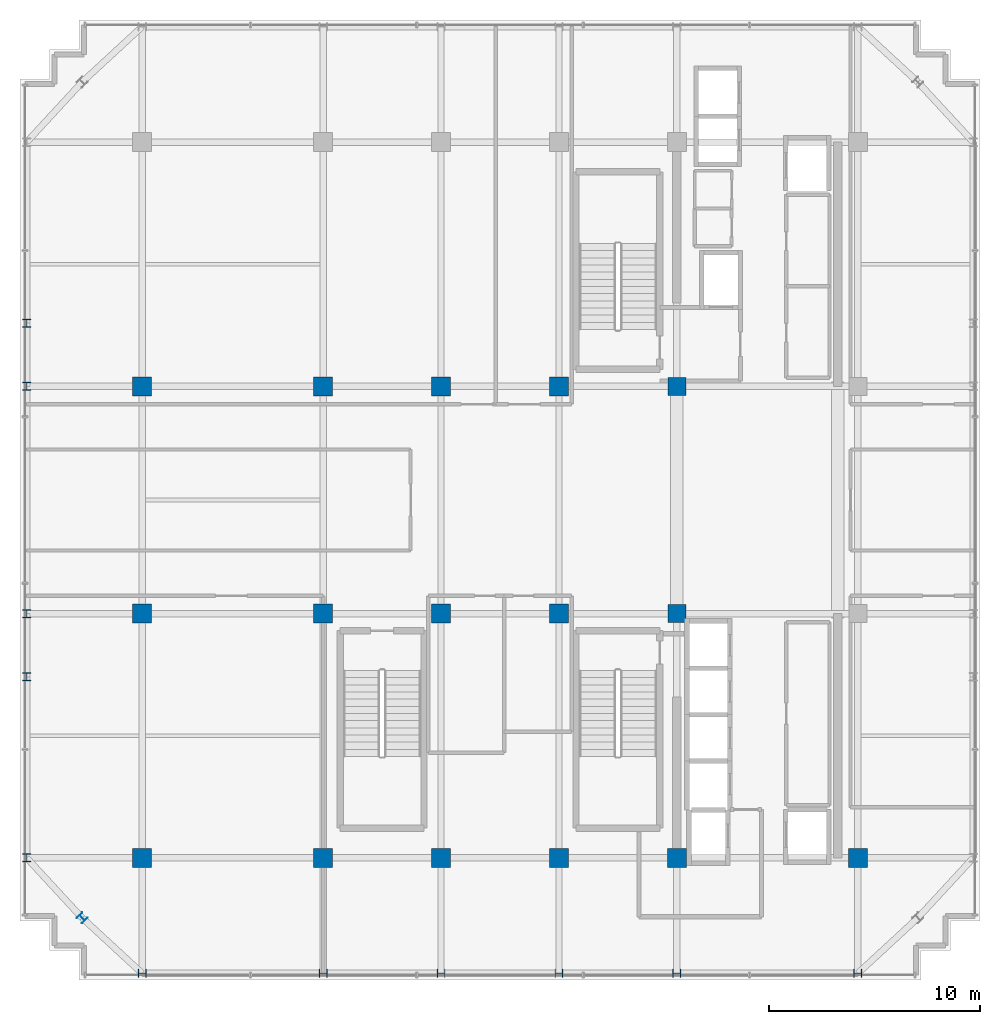
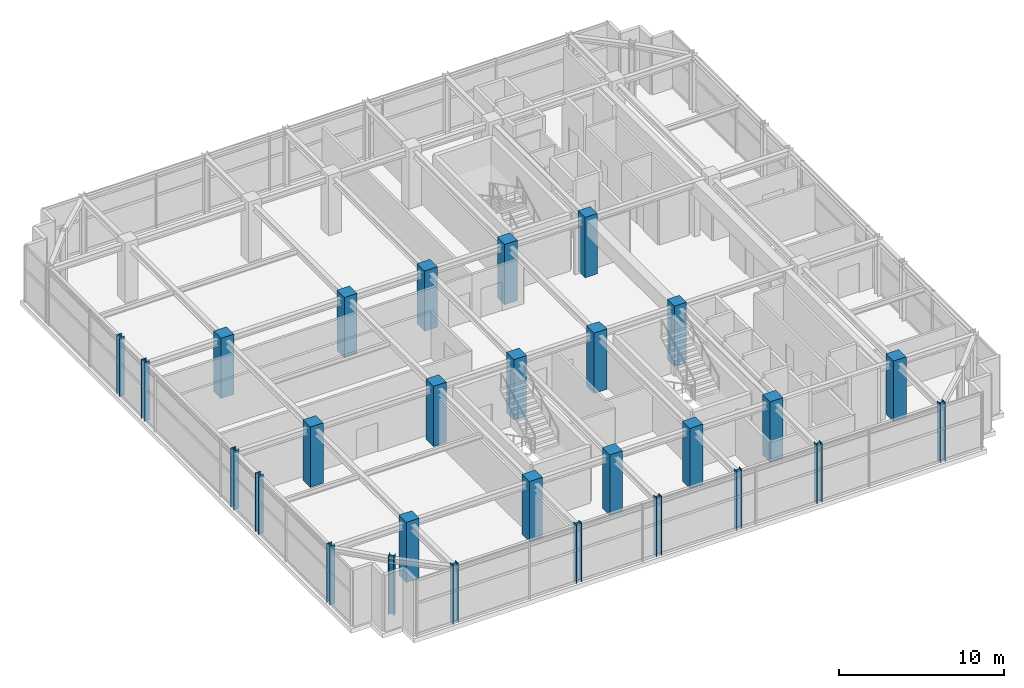
# One storey, part 1 of 20: 28 columns.
"""IFC4 building model written with IfcOpenShell, lengths in metres."""

from ifc_helpers import new_model, si_unit, direction, frame, origin, origin_2d, place, context, subcontext, project, spatial, rectangle, i_section, extrude, source, transform, mapped, material, material_profile, profile_set, type_object, element, save


model = new_model("IFC4")

# Units and contexts
model_context = context("Model", 3, precision=1e-05, world=origin(), true_north=direction((0.0, 1.0)))
body_context = subcontext(model_context, "Body", "Model", "MODEL_VIEW")
ifc_project = project(units=[si_unit("LENGTHUNIT", "METRE"), si_unit("AREAUNIT", "SQUARE_METRE"), si_unit("VOLUMEUNIT", "CUBIC_METRE"), si_unit("PLANEANGLEUNIT", "RADIAN"), si_unit("MASSUNIT", "GRAM", prefix="KILO")], contexts=[model_context])

# Site, building, storey
site_placement = place(None, origin())
site = spatial("IfcSite", under=ifc_project, at=site_placement, CompositionType="ELEMENT")
building_placement = place(site_placement, origin())
building = spatial("IfcBuilding", under=site, at=building_placement, Name="Nahalor Promenade Grand Hotel", CompositionType="ELEMENT")
storey_placement = place(building_placement, frame((0.0, 0.0, 347.550048828125)))
storey = spatial("IfcBuildingStorey", under=building, at=storey_placement, Name="L89", CompositionType="ELEMENT", Elevation=347.550048828125)

# Columns
ifc_material_1 = material(Name="Concrete B-50 (C40/50)", Category="concrete")
ifc_material_profile_1 = material_profile(ifc_material_1, rectangle(XDim=0.9, YDim=0.9, at=origin_2d()), Name="RC 900x900")
ifc_profile_set_1 = profile_set([ifc_material_profile_1], Name="Concrete B-50 (C40/50)")
column_type_1 = type_object("IfcColumnType", Name="Col-RC-900", PredefinedType="COLUMN", material=ifc_profile_set_1)
shared_shape_1 = source(origin(), body_context, "Body", "SweptSolid", [
    extrude(rectangle(XDim=0.9, YDim=0.9, at=origin_2d()), origin(), (0.0, 0.0, 1.0), 4.454833984375),
])
for number, where, z_axis, x_axis, name in (
    (1, (-17.0, -17.0, 0.0), (0.0, 0.0, 1.0), (1.0, 0.0, 0.0), "COL-L89-I00"),
    (2, (-17.0, -5.39990234375, 0.0), (0.0, 0.0, 1.0), (1.0, 0.0, 0.0), "COL-L89-I01"),
    (3, (-17.0, 5.39990234375, 0.0), (0.0, 0.0, 1.0), (1.0, 0.0, 0.0), "COL-L89-I02"),
    (4, (-8.39990234375, -17.0, 0.0), (0.0, 0.0, 1.0), (1.0, 0.0, 0.0), "COL-L89-I10"),
    (5, (-8.39990234375, -5.39990234375, 0.0), (0.0, 0.0, 1.0), (1.0, 0.0, 0.0), "COL-L89-I11"),
    (6, (-8.39990234375, 5.39990234375, 0.0), (0.0, 0.0, 1.0), (1.0, 0.0, 0.0), "COL-L89-I12"),
    (7, (-2.800048828125, -17.0, 0.0), (0.0, 0.0, 1.0), (1.0, 0.0, 0.0), "COL-L89-I20"),
    (8, (-2.800048828125, -5.39990234375, 0.0), (0.0, 0.0, 1.0), (1.0, 0.0, 0.0), "COL-L89-I21"),
    (9, (-2.800048828125, 5.39990234375, 0.0), (0.0, 0.0, 1.0), (1.0, 0.0, 0.0), "COL-L89-I22"),
    (10, (2.800048828125, -17.0, 0.0), (0.0, 0.0, 1.0), (1.0, 0.0, 0.0), "COL-L89-I30"),
    (11, (2.800048828125, -5.39990234375, 0.0), (0.0, 0.0, 1.0), (1.0, 0.0, 0.0), "COL-L89-I31"),
    (12, (2.800048828125, 5.39990234375, 0.0), (0.0, 0.0, 1.0), (1.0, 0.0, 0.0), "COL-L89-I32"),
    (13, (8.39990234375, -17.0, 0.0), (0.0, 0.0, 1.0), (1.0, 0.0, 0.0), "COL-L89-I40"),
    (14, (17.0, -17.0, 0.0), (0.0, 0.0, 1.0), (1.0, 0.0, 0.0), "COL-L89-I50"),
):
    element("IfcColumn", number, at=place(storey_placement, frame(where, z_axis=z_axis, x_axis=x_axis)), inside=storey, type_object=column_type_1, Name=name, PredefinedType="COLUMN", context=body_context, shape_type="MappedRepresentation", body=[
        mapped(shared_shape_1, transform((0.0, 0.0, 0.0), scale=1.0)),
    ])
ifc_material_2 = material(Name="Concrete B-70 (C60/75)", Category="concrete")
ifc_material_profile_2 = material_profile(ifc_material_2, rectangle(XDim=0.85, YDim=0.85, at=origin_2d()), Name="RC 850x850")
ifc_profile_set_2 = profile_set([ifc_material_profile_2], Name="Concrete B-70 (C60/75)")
column_type_2 = type_object("IfcColumnType", Name="Col-Pilaster-850", PredefinedType="PILASTER", material=ifc_profile_set_2)
shared_shape_2 = source(origin(), body_context, "Body", "SweptSolid", [
    extrude(rectangle(XDim=0.85, YDim=0.85, at=origin_2d()), origin(), (0.0, 0.0, 1.0), 4.454833984375),
])
for number, where, z_axis, x_axis, name in (
    (15, (8.39990234375, -5.39990234375, 0.0), (0.0, 0.0, 1.0), (1.0, 0.0, 0.0), "COL-L89-I41"),
    (16, (8.39990234375, 5.39990234375, 0.0), (0.0, 0.0, 1.0), (1.0, 0.0, 0.0), "COL-L89-I42"),
):
    element("IfcColumn", number, at=place(storey_placement, frame(where, z_axis=z_axis, x_axis=x_axis)), inside=storey, type_object=column_type_2, Name=name, PredefinedType="PILASTER", context=body_context, shape_type="MappedRepresentation", body=[
        mapped(shared_shape_2, transform((0.0, 0.0, 0.0), scale=1.0)),
    ])
ifc_material_3 = material(Name="Steel S355JR", Category="steel")
ifc_material_profile_3 = material_profile(ifc_material_3, i_section(OverallWidth=0.374, OverallDepth=0.374, WebThickness=0.0144, FlangeThickness=0.0229, at=origin_2d()), Name="HD 360x262")
ifc_profile_set_3 = profile_set([ifc_material_profile_3], Name="Steel S355JR")
column_type_3 = type_object("IfcColumnType", Name="Col-Steel-HD262", PredefinedType="COLUMN", material=ifc_profile_set_3)
shared_shape_3 = source(origin(), body_context, "Body", "SweptSolid", [
    extrude(i_section(OverallWidth=0.374, OverallDepth=0.374, WebThickness=0.0144, FlangeThickness=0.0229, at=origin_2d()), origin(), (0.0, 0.0, 1.0), 4.35498046875),
])
for number, where, z_axis, x_axis, name in (
    (17, (-22.47998046875, -17.0, 0.0), (0.0, 0.0, 1.0), (1.0, 0.0, 0.0), "COL-L89-PW-W0"),
    (18, (-22.47998046875, -8.39990234375, 0.0), (0.0, 0.0, 1.0), (1.0, 0.0, 0.0), "COL-L89-PW-W1"),
    (19, (-22.47998046875, -5.39990234375, 0.0), (0.0, 0.0, 1.0), (1.0, 0.0, 0.0), "COL-L89-PW-W2"),
    (20, (-22.47998046875, 5.39990234375, 0.0), (0.0, 0.0, 1.0), (1.0, 0.0, 0.0), "COL-L89-PW-W3"),
    (21, (-22.47998046875, 8.39990234375, 0.0), (0.0, 0.0, 1.0), (1.0, 0.0, 0.0), "COL-L89-PW-W4"),
    (22, (-17.0, -22.47998046875, 0.0), (0.0, 0.0, 1.0), (0.0, 1.0, 0.0), "COL-L89-PN-S0"),
    (23, (-8.39990234375, -22.47998046875, 0.0), (0.0, 0.0, 1.0), (0.0, 1.0, 0.0), "COL-L89-PN-S1"),
    (24, (-2.800048828125, -22.47998046875, 0.0), (0.0, 0.0, 1.0), (0.0, 1.0, 0.0), "COL-L89-PN-S2"),
    (25, (2.800048828125, -22.47998046875, 0.0), (0.0, 0.0, 1.0), (0.0, 1.0, 0.0), "COL-L89-PN-S3"),
    (26, (8.39990234375, -22.47998046875, 0.0), (0.0, 0.0, 1.0), (0.0, 1.0, 0.0), "COL-L89-PN-S4"),
    (27, (17.0, -22.47998046875, 0.0), (0.0, 0.0, 1.0), (0.0, 1.0, 0.0), "COL-L89-PN-S5"),
    (28, (-19.85009765625, -19.85009765625, 0.0), (0.0, 0.0, 1.0), (0.707106781187, 0.707106781187, 0.0), "COL-L89-CRN-SW"),
):
    element("IfcColumn", number, at=place(storey_placement, frame(where, z_axis=z_axis, x_axis=x_axis)), inside=storey, type_object=column_type_3, Name=name, PredefinedType="COLUMN", context=body_context, shape_type="MappedRepresentation", body=[
        mapped(shared_shape_3, transform((0.0, 0.0, 0.0), scale=1.0)),
    ])

save(model, "model.ifc")
